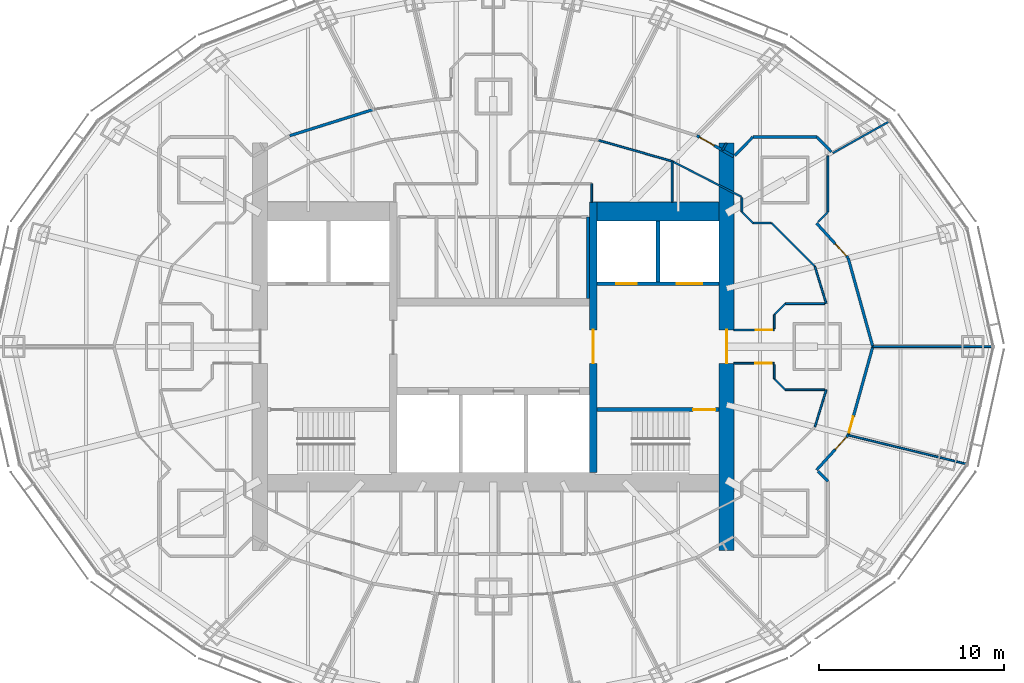
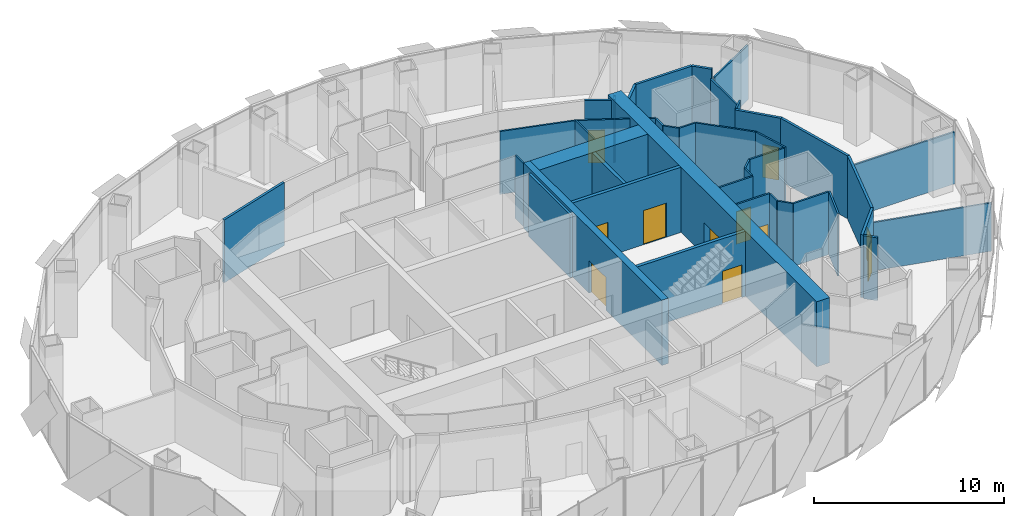
# One storey, part 14 of 18: 41 walls, 11 doors, 11 openings.
"""IFC4 building model written with IfcOpenShell, lengths in metres."""

from ifc_helpers import new_model, si_unit, direction, frame, frame_2d, origin, place, context, subcontext, project, spatial, rectangle, extrude, material, layer, layer_set, type_object, element, fill, save


model = new_model("IFC4")

# Units and contexts
model_context = context("Model", 3, precision=1e-05, world=origin(), true_north=direction((0.0, 1.0)))
body_context = subcontext(model_context, "Body", "Model", "MODEL_VIEW")
ifc_project = project(units=[si_unit("LENGTHUNIT", "METRE"), si_unit("AREAUNIT", "SQUARE_METRE"), si_unit("VOLUMEUNIT", "CUBIC_METRE"), si_unit("PLANEANGLEUNIT", "RADIAN"), si_unit("MASSUNIT", "GRAM", prefix="KILO")], contexts=[model_context])

# Site, building, storey
site_placement = place(None, origin())
site = spatial("IfcSite", under=ifc_project, at=site_placement, CompositionType="ELEMENT")
building_placement = place(site_placement, origin())
building = spatial("IfcBuilding", under=site, at=building_placement, Name="Lantaw Convention Tower", CompositionType="ELEMENT")
storey_placement = place(building_placement, frame((0.0, 0.0, 241.0)))
storey = spatial("IfcBuildingStorey", under=building, at=storey_placement, Name="L56", CompositionType="ELEMENT", Elevation=241.0)

# Wall
ifc_material_1 = material(Name="Concrete C60/75", Category="concrete")
ifc_layer_1 = layer(ifc_material_1, 1.0)
ifc_layer_set_1 = layer_set([ifc_layer_1], Name="Core wall 1000")
wall_type_1 = type_object("IfcWallType", Name="Core wall 1000", PredefinedType="SHEAR", material=ifc_layer_set_1)
wall_1_placement = place(storey_placement, frame((12.199951171875, 7.300048828125, 0.0), z_axis=(0.0, 0.0, 1.0), x_axis=(-1.0, 0.0, 0.0)))
element("IfcWall", 1, at=wall_1_placement, inside=storey, type_object=wall_type_1, Name="Core wall NE", PredefinedType="SHEAR", context=body_context, shape_type="SweptSolid", body=[
    extrude(rectangle(XDim=6.599853515625, YDim=1.0, at=frame_2d((3.2998046875, 0.0))), origin(), (0.0, 0.0, 1.0), 4.199951171875),
])

# Wall, opening, door
ifc_layer_2 = layer(ifc_material_1, 0.199951171875)
ifc_layer_set_2 = layer_set([ifc_layer_2], Name="Core wall 200")
wall_type_2 = type_object("IfcWallType", Name="Core wall 200", PredefinedType="SHEAR", material=ifc_layer_set_2)
wall_2_placement = place(storey_placement, frame((5.60009765625, -3.39990234375, 0.0), z_axis=(0.0, 0.0, 1.0), x_axis=(1.0, 0.0, 0.0)))
wall_2 = element("IfcWall", 2, at=wall_2_placement, inside=storey, type_object=wall_type_2, Name="Core wall ES", PredefinedType="SHEAR", context=body_context, shape_type="SweptSolid", body=[
    extrude(rectangle(XDim=6.599853515625, YDim=0.199951171875, at=frame_2d((3.2998046875, 0.0))), origin(), (0.0, 0.0, 1.0), 4.199951171875),
])
opening_1_placement = place(wall_2_placement, frame((5.199951171875, 0.0, 0.0)))
opening_1 = element("IfcOpeningElement", 3, at=opening_1_placement, cuts=wall_2, Name="Opening L56.03", PredefinedType="OPENING", context=body_context, shape_type="SweptSolid", body=[
    extrude(rectangle(XDim=1.199951171875, YDim=2.10009765625, at=frame_2d((0.60009765625, 1.050048828125))), frame((0.0, 0.10986328125, 0.0), z_axis=(0.0, -1.0, 0.0), x_axis=(1.0, 0.0, 0.0)), (0.0, 0.0, 1.0), 0.219970703125),
])
ifc_material_2 = material(Name="Steel, fire rated", Category="steel")
door_type_1 = type_object("IfcDoorType", Name="Stair door FD90", OperationType="SINGLE_SWING_RIGHT", PredefinedType="DOOR", material=ifc_material_2)
door_1_placement = place(opening_1_placement, origin())
door_1 = element("IfcDoor", 4, at=door_1_placement, inside=storey, type_object=door_type_1, Name="Exit stair door", OperationType="SINGLE_SWING_RIGHT", OverallHeight=2.10009765625, OverallWidth=1.199951171875, PredefinedType="DOOR", context=body_context, shape_type="SweptSolid", body=[
    extrude(rectangle(XDim=1.199951171875, YDim=2.10009765625, at=frame_2d((0.60009765625, 1.050048828125))), frame((0.0, 0.02490234375, 0.0), z_axis=(0.0, -1.0, 0.0), x_axis=(1.0, 0.0, 0.0)), (0.0, 0.0, 1.0), 0.050048828125),
])
fill(opening_1, door_1)

ifc_layer_3 = layer(ifc_material_1, 0.39990234375)
ifc_layer_set_3 = layer_set([ifc_layer_3], Name="Core wall 400")
wall_type_3 = type_object("IfcWallType", Name="Core wall 400", PredefinedType="SHEAR", material=ifc_layer_set_3)
wall_3_placement = place(storey_placement, frame((5.39990234375, -6.800048828125, 0.0), z_axis=(0.0, 0.0, 1.0), x_axis=(0.0, 1.0, 0.0)))
wall_3 = element("IfcWall", 5, at=wall_3_placement, inside=storey, type_object=wall_type_3, Name="Core wall XE", PredefinedType="SHEAR", context=body_context, shape_type="SweptSolid", body=[
    extrude(rectangle(XDim=14.60009765625, YDim=0.39990234375, at=frame_2d((7.300048828125, 0.0))), origin(), (0.0, 0.0, 1.0), 4.199951171875),
])
opening_2_placement = place(wall_3_placement, frame((5.89990234375, 0.0, 0.0)))
opening_2 = element("IfcOpeningElement", 6, at=opening_2_placement, cuts=wall_3, Name="Opening L56.01", PredefinedType="OPENING", context=body_context, shape_type="SweptSolid", body=[
    extrude(rectangle(XDim=1.800048828125, YDim=2.10009765625, at=frame_2d((0.89990234375, 1.050048828125))), frame((0.0, 0.2099609375, 0.0), z_axis=(0.0, -1.0, 0.0), x_axis=(1.0, 0.0, 0.0)), (0.0, 0.0, 1.0), 0.419921875),
])
door_type_2 = type_object("IfcDoorType", Name="Lobby double door FD90", OperationType="DOUBLE_DOOR_DOUBLE_SWING", PredefinedType="DOOR", material=ifc_material_2)
door_2_placement = place(opening_2_placement, origin())
door_2 = element("IfcDoor", 7, at=door_2_placement, inside=storey, type_object=door_type_2, Name="Lift lobby door", OperationType="DOUBLE_DOOR_DOUBLE_SWING", OverallHeight=2.10009765625, OverallWidth=1.800048828125, PredefinedType="DOOR", context=body_context, shape_type="SweptSolid", body=[
    extrude(rectangle(XDim=1.800048828125, YDim=2.10009765625, at=frame_2d((0.89990234375, 1.050048828125))), frame((0.0, 0.02490234375, 0.0), z_axis=(0.0, -1.0, 0.0), x_axis=(1.0, 0.0, 0.0)), (0.0, 0.0, 1.0), 0.050048828125),
])
fill(opening_2, door_2)

ifc_layer_4 = layer(ifc_material_1, 0.800048828125)
ifc_layer_set_4 = layer_set([ifc_layer_4], Name="Core wall 800")
wall_type_4 = type_object("IfcWallType", Name="Core wall 800", PredefinedType="SHEAR", material=ifc_layer_set_4)
wall_4_placement = place(storey_placement, frame((12.60009765625, -11.0, 0.0), z_axis=(0.0, 0.0, 1.0), x_axis=(0.0, 1.0, 0.0)))
wall_4 = element("IfcWall", 8, at=wall_4_placement, inside=storey, type_object=wall_type_4, Name="Core wall E", PredefinedType="SHEAR", context=body_context, shape_type="SweptSolid", body=[
    extrude(rectangle(XDim=22.0, YDim=0.800048828125, at=frame_2d((11.0, 0.0))), origin(), (0.0, 0.0, 1.0), 4.199951171875),
])
opening_3_placement = place(wall_4_placement, frame((10.10009765625, 0.0, 0.0)))
opening_3 = element("IfcOpeningElement", 9, at=opening_3_placement, cuts=wall_4, Name="Opening L56.05", PredefinedType="OPENING", context=body_context, shape_type="SweptSolid", body=[
    extrude(rectangle(XDim=1.800048828125, YDim=2.10009765625, at=frame_2d((0.89990234375, 1.050048828125))), frame((0.0, 0.409912109375, 0.0), z_axis=(0.0, -1.0, 0.0), x_axis=(1.0, 0.0, 0.0)), (0.0, 0.0, 1.0), 0.820068359375),
])
door_3_placement = place(opening_3_placement, origin())
door_3 = element("IfcDoor", 10, at=door_3_placement, inside=storey, type_object=door_type_2, Name="Firefighting lobby door", OperationType="DOUBLE_DOOR_DOUBLE_SWING", OverallHeight=2.10009765625, OverallWidth=1.800048828125, PredefinedType="DOOR", context=body_context, shape_type="SweptSolid", body=[
    extrude(rectangle(XDim=1.800048828125, YDim=2.10009765625, at=frame_2d((0.89990234375, 1.050048828125))), frame((0.0, 0.02490234375, 0.0), z_axis=(0.0, -1.0, 0.0), x_axis=(1.0, 0.0, 0.0)), (0.0, 0.0, 1.0), 0.050048828125),
])
fill(opening_3, door_3)

# Walls
ifc_material_3 = material(Name="Gypsum board on steel studs, fire rated", Category="steel")
ifc_layer_5 = layer(ifc_material_3, 0.14990234375)
ifc_layer_set_5 = layer_set([ifc_layer_5], Name="Corridor wall 150 EI 60")
wall_type_5 = type_object("IfcWallType", Name="Corridor wall 150 EI 60", PredefinedType="PARTITIONING", material=ifc_layer_set_5)
wall_5_placement = place(storey_placement, frame((20.5, 0.0, 0.0), z_axis=(0.0, 0.0, 1.0), x_axis=(-0.26770731566, 0.963500281859, 0.0)))
element("IfcWall", 11, at=wall_5_placement, inside=storey, type_object=wall_type_5, Name="Corridor wall 150", PredefinedType="PARTITIONING", context=body_context, shape_type="SweptSolid", body=[
    extrude(rectangle(XDim=4.961181640625, YDim=0.14990234375, at=frame_2d((2.48046875, 0.0))), origin(), (0.0, 0.0, 1.0), 4.050048828125),
])
wall_6_placement = place(storey_placement, frame((-6.521240234375, 12.798828125, 0.0), z_axis=(0.0, 0.0, 1.0), x_axis=(-0.954031103669, -0.299707612903, 0.0)))
element("IfcWall", 12, at=wall_6_placement, inside=storey, type_object=wall_type_5, Name="Corridor wall 150", PredefinedType="PARTITIONING", context=body_context, shape_type="SweptSolid", body=[
    extrude(rectangle(XDim=4.6953125, YDim=0.14990234375, at=frame_2d((2.34765625, 0.0))), origin(), (0.0, 0.0, 1.0), 4.050048828125),
])

# Wall, opening, door
wall_7_placement = place(storey_placement, frame((19.171875, -4.780029296875, 0.0), z_axis=(0.0, 0.0, 1.0), x_axis=(0.26770731566, 0.963500281859, 0.0)))
wall_7 = element("IfcWall", 13, at=wall_7_placement, inside=storey, type_object=wall_type_5, Name="Corridor wall 150", PredefinedType="PARTITIONING", context=body_context, shape_type="SweptSolid", body=[
    extrude(rectangle(XDim=4.961181640625, YDim=0.14990234375, at=frame_2d((2.48046875, 0.0))), origin(), (0.0, 0.0, 1.0), 4.050048828125),
])
opening_4_placement = place(wall_7_placement, frame((0.14990234375, 0.0, 0.0)))
opening_4 = element("IfcOpeningElement", 14, at=opening_4_placement, cuts=wall_7, Name="Opening L56.44", PredefinedType="OPENING", context=body_context, shape_type="SweptSolid", body=[
    extrude(rectangle(XDim=0.89990234375, YDim=2.10009765625, at=frame_2d((0.449951171875, 1.050048828125))), frame((0.0, 0.0849609375, 0.0), z_axis=(0.0, -1.0, 0.0), x_axis=(1.0, 0.0, 0.0)), (0.0, 0.0, 1.0), 0.169921875),
])
door_type_3 = type_object("IfcDoorType", Name="Office door 900 FD30", OperationType="SINGLE_SWING_LEFT", PredefinedType="DOOR", material=ifc_material_2)
door_4_placement = place(opening_4_placement, origin())
door_4 = element("IfcDoor", 15, at=door_4_placement, inside=storey, type_object=door_type_3, Name="Pantry door", OperationType="SINGLE_SWING_LEFT", OverallHeight=2.10009765625, OverallWidth=0.89990234375, PredefinedType="DOOR", context=body_context, shape_type="SweptSolid", body=[
    extrude(rectangle(XDim=0.89990234375, YDim=2.10009765625, at=frame_2d((0.449951171875, 1.050048828125))), frame((0.0, 0.02490234375, 0.0), z_axis=(0.0, -1.0, 0.0), x_axis=(1.0, 0.0, 0.0)), (0.0, 0.0, 1.0), 0.050048828125),
])
fill(opening_4, door_4)

wall_8_placement = place(storey_placement, frame((17.462646484375, -6.6650390625, 0.0), z_axis=(0.0, 0.0, 1.0), x_axis=(0.671721890643, 0.74080341632, 0.0)))
wall_8 = element("IfcWall", 16, at=wall_8_placement, inside=storey, type_object=wall_type_5, Name="Corridor wall 150", PredefinedType="PARTITIONING", context=body_context, shape_type="SweptSolid", body=[
    extrude(rectangle(XDim=2.54443359375, YDim=0.14990234375, at=frame_2d((1.272216796875, 0.0))), origin(), (0.0, 0.0, 1.0), 4.050048828125),
])
opening_5_placement = place(wall_8_placement, frame((1.5, 0.0, 0.0)))
opening_5 = element("IfcOpeningElement", 17, at=opening_5_placement, cuts=wall_8, Name="Opening L56.43", PredefinedType="OPENING", context=body_context, shape_type="SweptSolid", body=[
    extrude(rectangle(XDim=0.89990234375, YDim=2.10009765625, at=frame_2d((0.449951171875, 1.050048828125))), frame((0.0, 0.0849609375, 0.0), z_axis=(0.0, -1.0, 0.0), x_axis=(1.0, 0.0, 0.0)), (0.0, 0.0, 1.0), 0.169921875),
])
door_5_placement = place(opening_5_placement, origin())
door_5 = element("IfcDoor", 18, at=door_5_placement, inside=storey, type_object=door_type_3, Name="Open office door", OperationType="SINGLE_SWING_LEFT", OverallHeight=2.10009765625, OverallWidth=0.89990234375, PredefinedType="DOOR", context=body_context, shape_type="SweptSolid", body=[
    extrude(rectangle(XDim=0.89990234375, YDim=2.10009765625, at=frame_2d((0.449951171875, 1.050048828125))), frame((0.0, 0.02490234375, 0.0), z_axis=(0.0, -1.0, 0.0), x_axis=(1.0, 0.0, 0.0)), (0.0, 0.0, 1.0), 0.050048828125),
])
fill(opening_5, door_5)

# Wall
wall_9_placement = place(storey_placement, frame((17.537841796875, -6.73828125, 0.0), z_axis=(0.0, 0.0, 1.0), x_axis=(0.707106781187, -0.707106781187, 0.0)))
element("IfcWall", 19, at=wall_9_placement, inside=storey, type_object=wall_type_5, Name="Corridor wall 150", PredefinedType="PARTITIONING", context=body_context, shape_type="SweptSolid", body=[
    extrude(rectangle(XDim=0.759521484375, YDim=0.14990234375, at=frame_2d((0.3798828125, 0.0))), origin(), (0.0, 0.0, 1.0), 4.050048828125),
])

# Wall, opening, door
wall_10_placement = place(storey_placement, frame((19.171875, 4.780029296875, 0.0), z_axis=(0.0, 0.0, 1.0), x_axis=(-0.671721890643, 0.74080341632, 0.0)))
wall_10 = element("IfcWall", 20, at=wall_10_placement, inside=storey, type_object=wall_type_5, Name="Corridor wall 150", PredefinedType="PARTITIONING", context=body_context, shape_type="SweptSolid", body=[
    extrude(rectangle(XDim=2.54443359375, YDim=0.14990234375, at=frame_2d((1.272216796875, 0.0))), origin(), (0.0, 0.0, 1.0), 4.050048828125),
])
opening_6_placement = place(wall_10_placement, frame((0.14990234375, 0.0, 0.0)))
opening_6 = element("IfcOpeningElement", 21, at=opening_6_placement, cuts=wall_10, Name="Opening L56.28", PredefinedType="OPENING", context=body_context, shape_type="SweptSolid", body=[
    extrude(rectangle(XDim=0.89990234375, YDim=2.10009765625, at=frame_2d((0.449951171875, 1.050048828125))), frame((0.0, 0.0849609375, 0.0), z_axis=(0.0, -1.0, 0.0), x_axis=(1.0, 0.0, 0.0)), (0.0, 0.0, 1.0), 0.169921875),
])
door_6_placement = place(opening_6_placement, origin())
door_6 = element("IfcDoor", 22, at=door_6_placement, inside=storey, type_object=door_type_3, Name="Reception door", OperationType="SINGLE_SWING_LEFT", OverallHeight=2.10009765625, OverallWidth=0.89990234375, PredefinedType="DOOR", context=body_context, shape_type="SweptSolid", body=[
    extrude(rectangle(XDim=0.89990234375, YDim=2.10009765625, at=frame_2d((0.449951171875, 1.050048828125))), frame((0.0, 0.02490234375, 0.0), z_axis=(0.0, -1.0, 0.0), x_axis=(1.0, 0.0, 0.0)), (0.0, 0.0, 1.0), 0.050048828125),
])
fill(opening_6, door_6)

wall_11_placement = place(storey_placement, frame((12.974609375, 10.271484375, 0.0), z_axis=(0.0, 0.0, 1.0), x_axis=(-0.869722107117, 0.493541747366, 0.0)))
wall_11 = element("IfcWall", 23, at=wall_11_placement, inside=storey, type_object=wall_type_5, Name="Corridor wall 150", PredefinedType="PARTITIONING", context=body_context, shape_type="SweptSolid", body=[
    extrude(rectangle(XDim=2.26953125, YDim=0.14990234375, at=frame_2d((1.134765625, 0.0))), origin(), (0.0, 0.0, 1.0), 4.050048828125),
])
opening_7_placement = place(wall_11_placement, frame((1.199951171875, 0.0, 0.0)))
opening_7 = element("IfcOpeningElement", 24, at=opening_7_placement, cuts=wall_11, Name="Opening L56.29", PredefinedType="OPENING", context=body_context, shape_type="SweptSolid", body=[
    extrude(rectangle(XDim=0.89990234375, YDim=2.10009765625, at=frame_2d((0.449951171875, 1.050048828125))), frame((0.0, 0.0849609375, 0.0), z_axis=(0.0, -1.0, 0.0), x_axis=(1.0, 0.0, 0.0)), (0.0, 0.0, 1.0), 0.169921875),
])
door_7_placement = place(opening_7_placement, origin())
door_7 = element("IfcDoor", 25, at=door_7_placement, inside=storey, type_object=door_type_3, Name="Private office door", OperationType="SINGLE_SWING_LEFT", OverallHeight=2.10009765625, OverallWidth=0.89990234375, PredefinedType="DOOR", context=body_context, shape_type="SweptSolid", body=[
    extrude(rectangle(XDim=0.89990234375, YDim=2.10009765625, at=frame_2d((0.449951171875, 1.050048828125))), frame((0.0, 0.02490234375, 0.0), z_axis=(0.0, -1.0, 0.0), x_axis=(1.0, 0.0, 0.0)), (0.0, 0.0, 1.0), 0.050048828125),
])
fill(opening_7, door_7)

# Walls
wall_12_placement = place(storey_placement, frame((13.035888671875, 10.318603515625, 0.0), z_axis=(0.0, 0.0, 1.0), x_axis=(0.701113567316, 0.713049623606, 0.0)))
element("IfcWall", 26, at=wall_12_placement, inside=storey, type_object=wall_type_5, Name="Corridor wall 150", PredefinedType="PARTITIONING", context=body_context, shape_type="SweptSolid", body=[
    extrude(rectangle(XDim=1.411376953125, YDim=0.14990234375, at=frame_2d((0.70556640625, 0.0))), origin(), (0.0, 0.0, 1.0), 4.050048828125),
])
wall_13_placement = place(storey_placement, frame((14.025390625, 11.324951171875, 0.0), z_axis=(0.0, 0.0, 1.0), x_axis=(1.0, 0.0, 0.0)))
element("IfcWall", 27, at=wall_13_placement, inside=storey, type_object=wall_type_5, Name="Corridor wall 150", PredefinedType="PARTITIONING", context=body_context, shape_type="SweptSolid", body=[
    extrude(rectangle(XDim=3.44921875, YDim=0.14990234375, at=frame_2d((1.724609375, 0.0))), origin(), (0.0, 0.0, 1.0), 4.050048828125),
])
wall_14_placement = place(storey_placement, frame((17.474609375, 11.324951171875, 0.0), z_axis=(0.0, 0.0, 1.0), x_axis=(0.699453593529, -0.714678018761, 0.0)))
element("IfcWall", 28, at=wall_14_placement, inside=storey, type_object=wall_type_5, Name="Corridor wall 150", PredefinedType="PARTITIONING", context=body_context, shape_type="SweptSolid", body=[
    extrude(rectangle(XDim=1.12255859375, YDim=0.14990234375, at=frame_2d((0.561279296875, 0.0))), origin(), (0.0, 0.0, 1.0), 4.050048828125),
])
ifc_material_4 = material(Name="Gypsum board on steel studs, acoustic", Category="steel")
ifc_layer_6 = layer(ifc_material_4, 0.10009765625)
ifc_layer_set_6 = layer_set([ifc_layer_6], Name="Office partition 100")
wall_type_6 = type_object("IfcWallType", Name="Office partition 100", PredefinedType="PARTITIONING", material=ifc_layer_set_6)
wall_15_placement = place(storey_placement, frame((26.944091796875, 0.0, 0.0), z_axis=(0.0, 0.0, 1.0), x_axis=(-1.0, 0.0, 0.0)))
element("IfcWall", 29, at=wall_15_placement, inside=storey, type_object=wall_type_6, Name="Office partition 100", PredefinedType="PARTITIONING", context=body_context, shape_type="SweptSolid", body=[
    extrude(rectangle(XDim=6.444091796875, YDim=0.10009765625, at=frame_2d((3.22216796875, 0.0))), origin(), (0.0, 0.0, 1.0), 3.348876953125),
])
wall_16_placement = place(storey_placement, frame((25.54296875, -6.33544921875, 0.0), z_axis=(0.0, 0.0, 1.0), x_axis=(-0.971467850621, 0.237171278215, 0.0)))
element("IfcWall", 30, at=wall_16_placement, inside=storey, type_object=wall_type_6, Name="Office partition 100", PredefinedType="PARTITIONING", context=body_context, shape_type="SweptSolid", body=[
    extrude(rectangle(XDim=6.55810546875, YDim=0.10009765625, at=frame_2d((3.279052734375, 0.0))), origin(), (0.0, 0.0, 1.0), 3.107666015625),
])
wall_17_placement = place(storey_placement, frame((5.320068359375, 7.800048828125, 0.0), z_axis=(0.0, 0.0, 1.0), x_axis=(0.0, 1.0, 0.0)))
element("IfcWall", 31, at=wall_17_placement, inside=storey, type_object=wall_type_6, Name="Office partition 100", PredefinedType="PARTITIONING", context=body_context, shape_type="SweptSolid", body=[
    extrude(rectangle(XDim=1.0, YDim=0.10009765625, at=frame_2d((0.5, 0.0))), origin(), (0.0, 0.0, 1.0), 4.050048828125),
])
wall_18_placement = place(storey_placement, frame((5.679931640625, 11.147216796875, 0.0), z_axis=(0.0, 0.0, 1.0), x_axis=(0.961970251804, -0.27315423234, 0.0)))
element("IfcWall", 32, at=wall_18_placement, inside=storey, type_object=wall_type_6, Name="Office partition 100", PredefinedType="PARTITIONING", context=body_context, shape_type="SweptSolid", body=[
    extrude(rectangle(XDim=4.13720703125, YDim=0.10009765625, at=frame_2d((2.068603515625, 0.0))), origin(), (0.0, 0.0, 1.0), 4.050048828125),
])
wall_19_placement = place(storey_placement, frame((9.659912109375, 10.01708984375, 0.0), z_axis=(0.0, 0.0, 1.0), x_axis=(0.0, -1.0, 0.0)))
element("IfcWall", 33, at=wall_19_placement, inside=storey, type_object=wall_type_6, Name="Office partition 100", PredefinedType="PARTITIONING", context=body_context, shape_type="SweptSolid", body=[
    extrude(rectangle(XDim=2.217041015625, YDim=0.10009765625, at=frame_2d((1.1083984375, 0.0))), origin(), (0.0, 0.0, 1.0), 4.050048828125),
])
wall_20_placement = place(storey_placement, frame((12.60009765625, 11.0, 0.0), z_axis=(0.0, 0.0, 1.0), x_axis=(-0.493794495037, -0.869578631678, 0.0)))
element("IfcWall", 34, at=wall_20_placement, inside=storey, type_object=wall_type_6, Name="Office partition 100", PredefinedType="PARTITIONING", context=body_context, shape_type="SweptSolid", body=[
    extrude(rectangle(XDim=0.448974609375, YDim=0.10009765625, at=frame_2d((0.224609375, 0.0))), origin(), (0.0, 0.0, 1.0), 4.050048828125),
])
wall_21_placement = place(storey_placement, frame((21.3583984375, 12.149658203125, 0.0), z_axis=(0.0, 0.0, 1.0), x_axis=(-0.871730019583, -0.489986502832, 0.0)))
element("IfcWall", 35, at=wall_21_placement, inside=storey, type_object=wall_type_6, Name="Office partition 100", PredefinedType="PARTITIONING", context=body_context, shape_type="SweptSolid", body=[
    extrude(rectangle(XDim=3.4599609375, YDim=0.10009765625, at=frame_2d((1.72998046875, 0.0))), origin(), (0.0, 0.0, 1.0), 3.524169921875),
])
wall_22_placement = place(storey_placement, frame((9.659912109375, 10.01708984375, 0.0), z_axis=(0.0, 0.0, 1.0), x_axis=(0.889833724874, -0.456284935185, 0.0)))
element("IfcWall", 36, at=wall_22_placement, inside=storey, type_object=wall_type_6, Name="Office partition 100", PredefinedType="PARTITIONING", context=body_context, shape_type="SweptSolid", body=[
    extrude(rectangle(XDim=4.219970703125, YDim=0.10009765625, at=frame_2d((2.10986328125, 0.0))), origin(), (0.0, 0.0, 1.0), 4.050048828125),
])
wall_23_placement = place(storey_placement, frame((15.03466796875, 6.6650390625, 0.0), z_axis=(0.0, 0.0, 1.0), x_axis=(0.707587114823, -0.70662612104, 0.0)))
element("IfcWall", 37, at=wall_23_placement, inside=storey, type_object=wall_type_6, Name="Office partition 100", PredefinedType="PARTITIONING", context=body_context, shape_type="SweptSolid", body=[
    extrude(rectangle(XDim=3.302734375, YDim=0.10009765625, at=frame_2d((1.6513671875, 0.0))), origin(), (0.0, 0.0, 1.0), 4.050048828125),
])
wall_24_placement = place(storey_placement, frame((15.002197265625, 6.675048828125, 0.0), z_axis=(0.0, 0.0, 1.0), x_axis=(-1.0, 0.0, 0.0)))
element("IfcWall", 38, at=wall_24_placement, inside=storey, type_object=wall_type_6, Name="Office partition 100", PredefinedType="PARTITIONING", context=body_context, shape_type="SweptSolid", body=[
    extrude(rectangle(XDim=0.976806640625, YDim=0.10009765625, at=frame_2d((0.48828125, 0.0))), origin(), (0.0, 0.0, 1.0), 4.050048828125),
])
wall_25_placement = place(storey_placement, frame((14.025390625, 6.675048828125, 0.0), z_axis=(0.0, 0.0, 1.0), x_axis=(-0.707106781187, 0.707106781187, 0.0)))
element("IfcWall", 39, at=wall_25_placement, inside=storey, type_object=wall_type_6, Name="Office partition 100", PredefinedType="PARTITIONING", context=body_context, shape_type="SweptSolid", body=[
    extrude(rectangle(XDim=0.84912109375, YDim=0.10009765625, at=frame_2d((0.424560546875, 0.0))), origin(), (0.0, 0.0, 1.0), 4.050048828125),
])
wall_26_placement = place(storey_placement, frame((13.425048828125, 7.275390625, 0.0), z_axis=(0.0, 0.0, 1.0), x_axis=(0.0, 1.0, 0.0)))
element("IfcWall", 40, at=wall_26_placement, inside=storey, type_object=wall_type_6, Name="Office partition 100", PredefinedType="PARTITIONING", context=body_context, shape_type="SweptSolid", body=[
    extrude(rectangle(XDim=0.77001953125, YDim=0.10009765625, at=frame_2d((0.385009765625, 0.0))), origin(), (0.0, 0.0, 1.0), 4.050048828125),
])
wall_27_placement = place(storey_placement, frame((18.074951171875, 10.30419921875, 0.0), z_axis=(0.0, 0.0, 1.0), x_axis=(0.0, -1.0, 0.0)))
element("IfcWall", 41, at=wall_27_placement, inside=storey, type_object=wall_type_6, Name="Office partition 100", PredefinedType="PARTITIONING", context=body_context, shape_type="SweptSolid", body=[
    extrude(rectangle(XDim=3.02880859375, YDim=0.10009765625, at=frame_2d((1.514404296875, 0.0))), origin(), (0.0, 0.0, 1.0), 3.600341796875),
])
wall_28_placement = place(storey_placement, frame((18.074951171875, 7.275390625, 0.0), z_axis=(0.0, 0.0, 1.0), x_axis=(-0.707106781187, -0.707106781187, 0.0)))
element("IfcWall", 42, at=wall_28_placement, inside=storey, type_object=wall_type_6, Name="Office partition 100", PredefinedType="PARTITIONING", context=body_context, shape_type="SweptSolid", body=[
    extrude(rectangle(XDim=0.759521484375, YDim=0.10009765625, at=frame_2d((0.3798828125, 0.0))), origin(), (0.0, 0.0, 1.0), 4.050048828125),
])

# Wall, opening, door
wall_29_placement = place(storey_placement, frame((13.0, -0.89990234375, 0.0), z_axis=(0.0, 0.0, 1.0), x_axis=(1.0, 0.0, 0.0)))
wall_29 = element("IfcWall", 43, at=wall_29_placement, inside=storey, type_object=wall_type_6, Name="Office partition 100", PredefinedType="PARTITIONING", context=body_context, shape_type="SweptSolid", body=[
    extrude(rectangle(XDim=2.1650390625, YDim=0.10009765625, at=frame_2d((1.08251953125, 0.0))), origin(), (0.0, 0.0, 1.0), 4.050048828125),
])
opening_8_placement = place(wall_29_placement, frame((1.14990234375, 0.0, 0.0)))
opening_8 = element("IfcOpeningElement", 44, at=opening_8_placement, cuts=wall_29, Name="Opening L56.24", PredefinedType="OPENING", context=body_context, shape_type="SweptSolid", body=[
    extrude(rectangle(XDim=0.89990234375, YDim=2.10009765625, at=frame_2d((0.449951171875, 1.050048828125))), frame((0.0, 0.06005859375, 0.0), z_axis=(0.0, -1.0, 0.0), x_axis=(1.0, 0.0, 0.0)), (0.0, 0.0, 1.0), 0.1201171875),
])
ifc_material_5 = material(Name="Timber", Category="wood")
door_type_4 = type_object("IfcDoorType", Name="Office door 900", OperationType="SINGLE_SWING_LEFT", PredefinedType="DOOR", material=ifc_material_5)
door_8_placement = place(opening_8_placement, origin())
door_8 = element("IfcDoor", 45, at=door_8_placement, inside=storey, type_object=door_type_4, Name="Tenant storage room door", OperationType="SINGLE_SWING_LEFT", OverallHeight=2.10009765625, OverallWidth=0.89990234375, PredefinedType="DOOR", context=body_context, shape_type="SweptSolid", body=[
    extrude(rectangle(XDim=0.89990234375, YDim=2.10009765625, at=frame_2d((0.449951171875, 1.050048828125))), frame((0.0, 0.02490234375, 0.0), z_axis=(0.0, -1.0, 0.0), x_axis=(1.0, 0.0, 0.0)), (0.0, 0.0, 1.0), 0.050048828125),
])
fill(opening_8, door_8)

# Walls
for number, where, z_axis, x_axis, name in (
    (46, (17.98388671875, -2.3349609375, 0.0), (0.0, 0.0, 1.0), (-0.293231279211, -0.956041535129, 0.0), "Office partition 100"),
    (47, (17.37158203125, 4.331298828125, 0.0), (0.0, 0.0, 1.0), (0.293231279211, -0.956041535129, 0.0), "Office partition 100"),
):
    element("IfcWall", number, at=place(storey_placement, frame(where, z_axis=z_axis, x_axis=x_axis)), inside=storey, type_object=wall_type_6, Name=name, PredefinedType="PARTITIONING", context=body_context, shape_type="SweptSolid", body=[
        extrude(rectangle(XDim=2.088134765625, YDim=0.10009765625, at=frame_2d((1.0439453125, 0.0))), origin(), (0.0, 0.0, 1.0), 4.050048828125),
    ])

# Wall, opening, door
wall_30_placement = place(storey_placement, frame((15.1650390625, 0.89990234375, 0.0), z_axis=(0.0, 0.0, 1.0), x_axis=(-1.0, 0.0, 0.0)))
wall_30 = element("IfcWall", 48, at=wall_30_placement, inside=storey, type_object=wall_type_6, Name="Office partition 100", PredefinedType="PARTITIONING", context=body_context, shape_type="SweptSolid", body=[
    extrude(rectangle(XDim=2.1650390625, YDim=0.10009765625, at=frame_2d((1.08251953125, 0.0))), origin(), (0.0, 0.0, 1.0), 4.050048828125),
])
opening_9_placement = place(wall_30_placement, frame((0.10009765625, 0.0, 0.0)))
opening_9 = element("IfcOpeningElement", 49, at=opening_9_placement, cuts=wall_30, Name="Opening L56.26", PredefinedType="OPENING", context=body_context, shape_type="SweptSolid", body=[
    extrude(rectangle(XDim=0.89990234375, YDim=2.10009765625, at=frame_2d((0.449951171875, 1.050048828125))), frame((0.0, 0.06005859375, 0.0), z_axis=(0.0, -1.0, 0.0), x_axis=(1.0, 0.0, 0.0)), (0.0, 0.0, 1.0), 0.1201171875),
])
door_9_placement = place(opening_9_placement, origin())
door_9 = element("IfcDoor", 50, at=door_9_placement, inside=storey, type_object=door_type_4, Name="Copy and print room door", OperationType="SINGLE_SWING_LEFT", OverallHeight=2.10009765625, OverallWidth=0.89990234375, PredefinedType="DOOR", context=body_context, shape_type="SweptSolid", body=[
    extrude(rectangle(XDim=0.89990234375, YDim=2.10009765625, at=frame_2d((0.449951171875, 1.050048828125))), frame((0.0, 0.02490234375, 0.0), z_axis=(0.0, -1.0, 0.0), x_axis=(1.0, 0.0, 0.0)), (0.0, 0.0, 1.0), 0.050048828125),
])
fill(opening_9, door_9)

# Walls
wall_31_placement = place(storey_placement, frame((15.175048828125, -1.724609375, 0.0), z_axis=(0.0, 0.0, 1.0), x_axis=(0.0, 1.0, 0.0)))
element("IfcWall", 51, at=wall_31_placement, inside=storey, type_object=wall_type_6, Name="Office partition 100", PredefinedType="PARTITIONING", context=body_context, shape_type="SweptSolid", body=[
    extrude(rectangle(XDim=0.746337890625, YDim=0.10009765625, at=frame_2d((0.373046875, 0.0))), origin(), (0.0, 0.0, 1.0), 4.050048828125),
])
wall_32_placement = place(storey_placement, frame((17.903076171875, -2.324951171875, 0.0), z_axis=(0.0, 0.0, 1.0), x_axis=(-1.0, 0.0, 0.0)))
element("IfcWall", 52, at=wall_32_placement, inside=storey, type_object=wall_type_6, Name="Office partition 100", PredefinedType="PARTITIONING", context=body_context, shape_type="SweptSolid", body=[
    extrude(rectangle(XDim=2.127685546875, YDim=0.10009765625, at=frame_2d((1.06396484375, 0.0))), origin(), (0.0, 0.0, 1.0), 4.050048828125),
])
wall_33_placement = place(storey_placement, frame((15.775390625, -2.324951171875, 0.0), z_axis=(0.0, 0.0, 1.0), x_axis=(-0.707106781187, 0.707106781187, 0.0)))
element("IfcWall", 53, at=wall_33_placement, inside=storey, type_object=wall_type_6, Name="Office partition 100", PredefinedType="PARTITIONING", context=body_context, shape_type="SweptSolid", body=[
    extrude(rectangle(XDim=0.84912109375, YDim=0.10009765625, at=frame_2d((0.424560546875, 0.0))), origin(), (0.0, 0.0, 1.0), 4.050048828125),
])
wall_34_placement = place(storey_placement, frame((15.175048828125, 0.978271484375, 0.0), z_axis=(0.0, 0.0, 1.0), x_axis=(0.0, 1.0, 0.0)))
element("IfcWall", 54, at=wall_34_placement, inside=storey, type_object=wall_type_6, Name="Office partition 100", PredefinedType="PARTITIONING", context=body_context, shape_type="SweptSolid", body=[
    extrude(rectangle(XDim=0.746337890625, YDim=0.10009765625, at=frame_2d((0.373046875, 0.0))), origin(), (0.0, 0.0, 1.0), 4.050048828125),
])
wall_35_placement = place(storey_placement, frame((15.175048828125, 1.724609375, 0.0), z_axis=(0.0, 0.0, 1.0), x_axis=(0.707106781187, 0.707106781187, 0.0)))
element("IfcWall", 55, at=wall_35_placement, inside=storey, type_object=wall_type_6, Name="Office partition 100", PredefinedType="PARTITIONING", context=body_context, shape_type="SweptSolid", body=[
    extrude(rectangle(XDim=0.84912109375, YDim=0.10009765625, at=frame_2d((0.424560546875, 0.0))), origin(), (0.0, 0.0, 1.0), 4.050048828125),
])
wall_36_placement = place(storey_placement, frame((15.775390625, 2.324951171875, 0.0), z_axis=(0.0, 0.0, 1.0), x_axis=(1.0, 0.0, 0.0)))
element("IfcWall", 56, at=wall_36_placement, inside=storey, type_object=wall_type_6, Name="Office partition 100", PredefinedType="PARTITIONING", context=body_context, shape_type="SweptSolid", body=[
    extrude(rectangle(XDim=2.127685546875, YDim=0.10009765625, at=frame_2d((1.06396484375, 0.0))), origin(), (0.0, 0.0, 1.0), 4.050048828125),
])

# Wall, openings, doors
ifc_material_6 = material(Name="Concrete blockwork, fire rated", Category="masonry")
ifc_layer_7 = layer(ifc_material_6, 0.199951171875)
ifc_layer_set_7 = layer_set([ifc_layer_7], Name="Shaft wall 200")
wall_type_7 = type_object("IfcWallType", Name="Shaft wall 200", PredefinedType="SOLIDWALL", material=ifc_layer_set_7)
wall_37_placement = place(storey_placement, frame((12.199951171875, 3.39990234375, 0.0), z_axis=(0.0, 0.0, 1.0), x_axis=(-1.0, 0.0, 0.0)))
wall_37 = element("IfcWall", 57, at=wall_37_placement, inside=storey, type_object=wall_type_7, Name="Shaft wall EN", PredefinedType="SOLIDWALL", context=body_context, shape_type="SweptSolid", body=[
    extrude(rectangle(XDim=6.599853515625, YDim=0.199951171875, at=frame_2d((3.2998046875, 0.0))), origin(), (0.0, 0.0, 1.0), 4.199951171875),
])
opening_10_placement = place(wall_37_placement, frame((4.449951171875, 0.0, 0.0)))
opening_10 = element("IfcOpeningElement", 58, at=opening_10_placement, cuts=wall_37, Name="Opening L56.12", PredefinedType="OPENING", context=body_context, shape_type="SweptSolid", body=[
    extrude(rectangle(XDim=1.10009765625, YDim=2.199951171875, at=frame_2d((0.550048828125, 1.10009765625))), frame((0.0, 0.10986328125, 0.0), z_axis=(0.0, -1.0, 0.0), x_axis=(1.0, 0.0, 0.0)), (0.0, 0.0, 1.0), 0.219970703125),
])
opening_11_placement = place(wall_37_placement, frame((0.89990234375, 0.0, 0.0)))
opening_11 = element("IfcOpeningElement", 59, at=opening_11_placement, cuts=wall_37, Name="Opening L56.13", PredefinedType="OPENING", context=body_context, shape_type="SweptSolid", body=[
    extrude(rectangle(XDim=1.39990234375, YDim=2.199951171875, at=frame_2d((0.699951171875, 1.10009765625))), frame((0.0, 0.10986328125, 0.0), z_axis=(0.0, -1.0, 0.0), x_axis=(1.0, 0.0, 0.0)), (0.0, 0.0, 1.0), 0.219970703125),
])
ifc_material_7 = material(Name="Stainless steel", Category="steel")
door_type_5 = type_object("IfcDoorType", Name="Lift landing door 1100", OperationType="DOUBLE_DOOR_SLIDING", PredefinedType="DOOR", material=ifc_material_7)
door_10_placement = place(opening_10_placement, origin())
door_10 = element("IfcDoor", 60, at=door_10_placement, inside=storey, type_object=door_type_5, Name="Lift landing door FF2", OperationType="DOUBLE_DOOR_SLIDING", OverallHeight=2.199951171875, OverallWidth=1.10009765625, PredefinedType="DOOR", context=body_context, shape_type="SweptSolid", body=[
    extrude(rectangle(XDim=1.10009765625, YDim=2.199951171875, at=frame_2d((0.550048828125, 1.10009765625))), frame((0.0, 0.02490234375, 0.0), z_axis=(0.0, -1.0, 0.0), x_axis=(1.0, 0.0, 0.0)), (0.0, 0.0, 1.0), 0.050048828125),
])
fill(opening_10, door_10)
door_type_6 = type_object("IfcDoorType", Name="Lift landing door 1400", OperationType="DOUBLE_DOOR_SLIDING", PredefinedType="DOOR", material=ifc_material_7)
door_11_placement = place(opening_11_placement, origin())
door_11 = element("IfcDoor", 61, at=door_11_placement, inside=storey, type_object=door_type_6, Name="Lift landing door SV2", OperationType="DOUBLE_DOOR_SLIDING", OverallHeight=2.199951171875, OverallWidth=1.39990234375, PredefinedType="DOOR", context=body_context, shape_type="SweptSolid", body=[
    extrude(rectangle(XDim=1.39990234375, YDim=2.199951171875, at=frame_2d((0.699951171875, 1.10009765625))), frame((0.0, 0.02490234375, 0.0), z_axis=(0.0, -1.0, 0.0), x_axis=(1.0, 0.0, 0.0)), (0.0, 0.0, 1.0), 0.050048828125),
])
fill(opening_11, door_11)

# Walls
wall_38_placement = place(storey_placement, frame((8.89990234375, 3.5, 0.0), z_axis=(0.0, 0.0, 1.0), x_axis=(0.0, 1.0, 0.0)))
element("IfcWall", 62, at=wall_38_placement, inside=storey, type_object=wall_type_7, Name="Shaft wall ED", PredefinedType="SOLIDWALL", context=body_context, shape_type="SweptSolid", body=[
    extrude(rectangle(XDim=3.300048828125, YDim=0.199951171875, at=frame_2d((1.64990234375, 0.0))), origin(), (0.0, 0.0, 1.0), 4.199951171875),
])
ifc_material_8 = material(Name="Concrete blockwork", Category="masonry")
ifc_layer_8 = layer(ifc_material_8, 0.14990234375)
ifc_layer_set_8 = layer_set([ifc_layer_8], Name="WC wall 150")
wall_type_8 = type_object("IfcWallType", Name="WC wall 150", PredefinedType="SOLIDWALL", material=ifc_layer_set_8)
wall_39_placement = place(storey_placement, frame((5.1201171875, 2.60009765625, 0.0), z_axis=(0.0, 0.0, 1.0), x_axis=(0.0, 1.0, 0.0)))
element("IfcWall", 63, at=wall_39_placement, inside=storey, type_object=wall_type_8, Name="WC wall 150", PredefinedType="SOLIDWALL", context=body_context, shape_type="SweptSolid", body=[
    extrude(rectangle(XDim=4.39990234375, YDim=0.14990234375, at=frame_2d((2.199951171875, 0.0))), origin(), (0.0, 0.0, 1.0), 4.050048828125),
])

save(model, "model.ifc")
